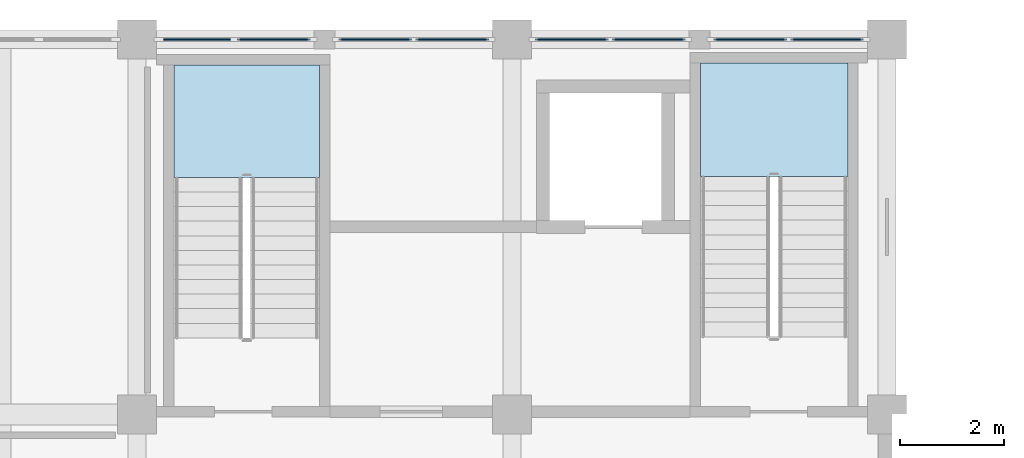
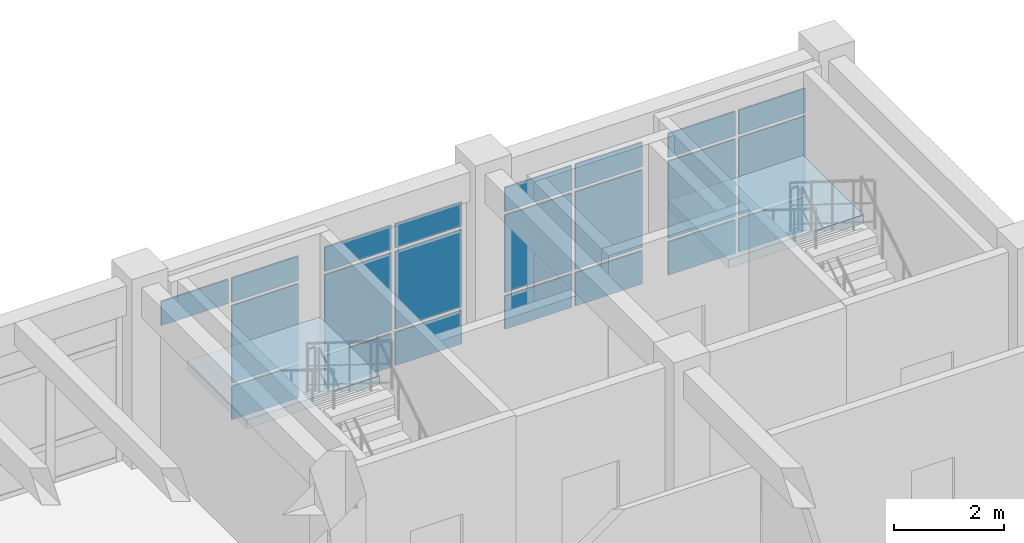
# One storey, part 85 of 136: 22 plates, 2 slabs, 6 elements without a shape of their own.
"""IFC4 building model written with IfcOpenShell, lengths in metres."""

from ifc_helpers import new_model, si_unit, direction, frame, origin, origin_2d, place, context, subcontext, project, spatial, polyline, rectangle, outline, extrude, material, layer, layer_set, type_object, element, aggregate, save


model = new_model("IFC4")

# Units and contexts
model_context = context("Model", 3, precision=1e-05, world=origin(), true_north=direction((0.0, 1.0)))
body_context = subcontext(model_context, "Body", "Model", "MODEL_VIEW")
ifc_project = project(units=[si_unit("LENGTHUNIT", "METRE"), si_unit("AREAUNIT", "SQUARE_METRE"), si_unit("VOLUMEUNIT", "CUBIC_METRE"), si_unit("PLANEANGLEUNIT", "RADIAN"), si_unit("MASSUNIT", "GRAM", prefix="KILO")], contexts=[model_context])

# Site, building, storey
site_placement = place(None, origin())
site = spatial("IfcSite", under=ifc_project, at=site_placement, CompositionType="ELEMENT")
building_placement = place(site_placement, origin())
building = spatial("IfcBuilding", under=site, at=building_placement, Name="Koriwan Promenade Central Fire Station", CompositionType="ELEMENT")
storey_placement = place(building_placement, frame((0.0, 0.0, 5.39990234375)))
storey = spatial("IfcBuildingStorey", under=building, at=storey_placement, Name="L01", CompositionType="ELEMENT", Elevation=5.39990234375)

# Curtain wall, plates
ifc_material_1 = material(Name="Aluminium EN AW-6063-T6 and low-E glazing", Category="aluminium")
ifc_layer_1 = layer(ifc_material_1, 0.159912109375, Name="Aluminium EN AW-6063-T6 and low-E glazing")
ifc_layer_set_1 = layer_set([ifc_layer_1], Name="Aluminium EN AW-6063-T6 and low-E glazing")
curtain_wall_type_1 = type_object("IfcCurtainWallType", Name="CurtainWall_07_302x329", PredefinedType="USERDEFINED", material=ifc_layer_set_1)
curtain_wall_1_placement = place(storey_placement, origin())
curtain_wall_1 = element("IfcCurtainWall", 1, at=curtain_wall_1_placement, inside=storey, type_object=curtain_wall_type_1, Name="V2 L01 unitised curtain wall 021", ObjectType="UNITISED CURTAIN WALL", PredefinedType="USERDEFINED")
ifc_material_2 = material(Name="Solar-control low-E acoustic glazing", Category="glass")
ifc_layer_2 = layer(ifc_material_2, 0.031982421875, Name="Solar-control low-E acoustic glazing")
ifc_layer_set_2 = layer_set([ifc_layer_2], Name="Solar-control low-E acoustic glazing")
plate_type = type_object("IfcPlateType", Name="CWPanel_32", PredefinedType="CURTAIN_PANEL", material=ifc_layer_set_2)
plate_1_placement = place(storey_placement, frame((99.64990234375, 115.199951171875, 0.0751953125), z_axis=(0.0, 0.0, 1.0), x_axis=(-1.0, 0.0, 0.0)))
plate_1 = element("IfcPlate", 2, at=plate_1_placement, type_object=plate_type, Name="CW-07 panel 1.1", PredefinedType="CURTAIN_PANEL", context=body_context, shape_type="SweptSolid", body=[
    extrude(rectangle(XDim=1.39990234375, YDim=0.031982421875, at=origin_2d()), origin(), (0.0, 0.0, 1.0), 0.737548828125),
])
plate_2_placement = place(storey_placement, frame((99.64990234375, 115.199951171875, 0.8876953125), z_axis=(0.0, 0.0, 1.0), x_axis=(-1.0, 0.0, 0.0)))
plate_2 = element("IfcPlate", 3, at=plate_2_placement, type_object=plate_type, Name="CW-07 panel 1.2", PredefinedType="CURTAIN_PANEL", context=body_context, shape_type="SweptSolid", body=[
    extrude(rectangle(XDim=1.39990234375, YDim=0.031982421875, at=origin_2d()), origin(), (0.0, 0.0, 1.0), 1.715087890625),
])
plate_3_placement = place(storey_placement, frame((99.64990234375, 115.199951171875, 2.677490234375), z_axis=(0.0, 0.0, 1.0), x_axis=(-1.0, 0.0, 0.0)))
plate_3 = element("IfcPlate", 4, at=plate_3_placement, type_object=plate_type, Name="CW-07 panel 1.3", PredefinedType="CURTAIN_PANEL", context=body_context, shape_type="SweptSolid", body=[
    extrude(rectangle(XDim=1.39990234375, YDim=0.031982421875, at=origin_2d()), origin(), (0.0, 0.0, 1.0), 0.53759765625),
])
plate_4_placement = place(storey_placement, frame((98.175048828125, 115.199951171875, 0.0751953125), z_axis=(0.0, 0.0, 1.0), x_axis=(-1.0, 0.0, 0.0)))
plate_4 = element("IfcPlate", 5, at=plate_4_placement, type_object=plate_type, Name="CW-07 panel 2.1", PredefinedType="CURTAIN_PANEL", context=body_context, shape_type="SweptSolid", body=[
    extrude(rectangle(XDim=1.39990234375, YDim=0.031982421875, at=origin_2d()), origin(), (0.0, 0.0, 1.0), 0.737548828125),
])
plate_5_placement = place(storey_placement, frame((98.175048828125, 115.199951171875, 0.8876953125), z_axis=(0.0, 0.0, 1.0), x_axis=(-1.0, 0.0, 0.0)))
plate_5 = element("IfcPlate", 6, at=plate_5_placement, type_object=plate_type, Name="CW-07 panel 2.2", PredefinedType="CURTAIN_PANEL", context=body_context, shape_type="SweptSolid", body=[
    extrude(rectangle(XDim=1.39990234375, YDim=0.031982421875, at=origin_2d()), origin(), (0.0, 0.0, 1.0), 1.715087890625),
])
plate_6_placement = place(storey_placement, frame((98.175048828125, 115.199951171875, 2.677490234375), z_axis=(0.0, 0.0, 1.0), x_axis=(-1.0, 0.0, 0.0)))
plate_6 = element("IfcPlate", 7, at=plate_6_placement, type_object=plate_type, Name="CW-07 panel 2.3", PredefinedType="CURTAIN_PANEL", context=body_context, shape_type="SweptSolid", body=[
    extrude(rectangle(XDim=1.39990234375, YDim=0.031982421875, at=origin_2d()), origin(), (0.0, 0.0, 1.0), 0.53759765625),
])
aggregate(curtain_wall_1, [plate_1, plate_2, plate_3, plate_4, plate_5, plate_6])

ifc_layer_3 = layer(ifc_material_1, 0.159912109375, Name="Aluminium EN AW-6063-T6 and low-E glazing")
ifc_layer_set_3 = layer_set([ifc_layer_3], Name="Aluminium EN AW-6063-T6 and low-E glazing")
curtain_wall_type_2 = type_object("IfcCurtainWallType", Name="CurtainWall_08_303x329", PredefinedType="USERDEFINED", material=ifc_layer_set_3)
curtain_wall_2_placement = place(storey_placement, origin())
curtain_wall_2 = element("IfcCurtainWall", 8, at=curtain_wall_2_placement, inside=storey, type_object=curtain_wall_type_2, Name="V2 L01 unitised curtain wall 022", ObjectType="UNITISED CURTAIN WALL", PredefinedType="USERDEFINED")
plate_7_placement = place(storey_placement, frame((96.22509765625, 115.199951171875, 0.0751953125), z_axis=(0.0, 0.0, 1.0), x_axis=(-1.0, 0.0, 0.0)))
plate_7 = element("IfcPlate", 9, at=plate_7_placement, type_object=plate_type, Name="CW-08 panel 1.1", PredefinedType="CURTAIN_PANEL", context=body_context, shape_type="SweptSolid", body=[
    extrude(rectangle(XDim=1.39990234375, YDim=0.031982421875, at=origin_2d()), origin(), (0.0, 0.0, 1.0), 0.737548828125),
])
plate_8_placement = place(storey_placement, frame((96.22509765625, 115.199951171875, 0.8876953125), z_axis=(0.0, 0.0, 1.0), x_axis=(-1.0, 0.0, 0.0)))
plate_8 = element("IfcPlate", 10, at=plate_8_placement, type_object=plate_type, Name="CW-08 panel 1.2", PredefinedType="CURTAIN_PANEL", context=body_context, shape_type="SweptSolid", body=[
    extrude(rectangle(XDim=1.39990234375, YDim=0.031982421875, at=origin_2d()), origin(), (0.0, 0.0, 1.0), 1.715087890625),
])
plate_9_placement = place(storey_placement, frame((96.22509765625, 115.199951171875, 2.677490234375), z_axis=(0.0, 0.0, 1.0), x_axis=(-1.0, 0.0, 0.0)))
plate_9 = element("IfcPlate", 11, at=plate_9_placement, type_object=plate_type, Name="CW-08 panel 1.3", PredefinedType="CURTAIN_PANEL", context=body_context, shape_type="SweptSolid", body=[
    extrude(rectangle(XDim=1.39990234375, YDim=0.031982421875, at=origin_2d()), origin(), (0.0, 0.0, 1.0), 0.53759765625),
])
plate_10_placement = place(storey_placement, frame((94.75, 115.199951171875, 0.0751953125), z_axis=(0.0, 0.0, 1.0), x_axis=(-1.0, 0.0, 0.0)))
plate_10 = element("IfcPlate", 12, at=plate_10_placement, type_object=plate_type, Name="CW-08 panel 2.1", PredefinedType="CURTAIN_PANEL", context=body_context, shape_type="SweptSolid", body=[
    extrude(rectangle(XDim=1.39990234375, YDim=0.031982421875, at=origin_2d()), origin(), (0.0, 0.0, 1.0), 0.737548828125),
])
plate_11_placement = place(storey_placement, frame((94.75, 115.199951171875, 0.8876953125), z_axis=(0.0, 0.0, 1.0), x_axis=(-1.0, 0.0, 0.0)))
plate_11 = element("IfcPlate", 13, at=plate_11_placement, type_object=plate_type, Name="CW-08 panel 2.2", PredefinedType="CURTAIN_PANEL", context=body_context, shape_type="SweptSolid", body=[
    extrude(rectangle(XDim=1.39990234375, YDim=0.031982421875, at=origin_2d()), origin(), (0.0, 0.0, 1.0), 1.715087890625),
])
plate_12_placement = place(storey_placement, frame((94.75, 115.199951171875, 2.677490234375), z_axis=(0.0, 0.0, 1.0), x_axis=(-1.0, 0.0, 0.0)))
plate_12 = element("IfcPlate", 14, at=plate_12_placement, type_object=plate_type, Name="CW-08 panel 2.3", PredefinedType="CURTAIN_PANEL", context=body_context, shape_type="SweptSolid", body=[
    extrude(rectangle(XDim=1.39990234375, YDim=0.031982421875, at=origin_2d()), origin(), (0.0, 0.0, 1.0), 0.53759765625),
])
aggregate(curtain_wall_2, [plate_7, plate_8, plate_9, plate_10, plate_11, plate_12])

curtain_wall_3_placement = place(storey_placement, origin())
curtain_wall_3 = element("IfcCurtainWall", 15, at=curtain_wall_3_placement, inside=storey, type_object=curtain_wall_type_1, Name="V2 L01 unitised curtain wall 023", ObjectType="UNITISED CURTAIN WALL", PredefinedType="USERDEFINED")
plate_13_placement = place(storey_placement, frame((92.449951171875, 115.199951171875, 0.0751953125), z_axis=(0.0, 0.0, 1.0), x_axis=(-1.0, 0.0, 0.0)))
plate_13 = element("IfcPlate", 16, at=plate_13_placement, type_object=plate_type, Name="CW-07 panel 1.1", PredefinedType="CURTAIN_PANEL", context=body_context, shape_type="SweptSolid", body=[
    extrude(rectangle(XDim=1.39990234375, YDim=0.031982421875, at=origin_2d()), origin(), (0.0, 0.0, 1.0), 0.737548828125),
])
plate_14_placement = place(storey_placement, frame((92.449951171875, 115.199951171875, 0.8876953125), z_axis=(0.0, 0.0, 1.0), x_axis=(-1.0, 0.0, 0.0)))
plate_14 = element("IfcPlate", 17, at=plate_14_placement, type_object=plate_type, Name="CW-07 panel 1.2", PredefinedType="CURTAIN_PANEL", context=body_context, shape_type="SweptSolid", body=[
    extrude(rectangle(XDim=1.39990234375, YDim=0.031982421875, at=origin_2d()), origin(), (0.0, 0.0, 1.0), 1.715087890625),
])
plate_15_placement = place(storey_placement, frame((92.449951171875, 115.199951171875, 2.677490234375), z_axis=(0.0, 0.0, 1.0), x_axis=(-1.0, 0.0, 0.0)))
plate_15 = element("IfcPlate", 18, at=plate_15_placement, type_object=plate_type, Name="CW-07 panel 1.3", PredefinedType="CURTAIN_PANEL", context=body_context, shape_type="SweptSolid", body=[
    extrude(rectangle(XDim=1.39990234375, YDim=0.031982421875, at=origin_2d()), origin(), (0.0, 0.0, 1.0), 0.53759765625),
])
plate_16_placement = place(storey_placement, frame((90.97509765625, 115.199951171875, 0.0751953125), z_axis=(0.0, 0.0, 1.0), x_axis=(-1.0, 0.0, 0.0)))
plate_16 = element("IfcPlate", 19, at=plate_16_placement, type_object=plate_type, Name="CW-07 panel 2.1", PredefinedType="CURTAIN_PANEL", context=body_context, shape_type="SweptSolid", body=[
    extrude(rectangle(XDim=1.39990234375, YDim=0.031982421875, at=origin_2d()), origin(), (0.0, 0.0, 1.0), 0.737548828125),
])
plate_17_placement = place(storey_placement, frame((90.97509765625, 115.199951171875, 0.8876953125), z_axis=(0.0, 0.0, 1.0), x_axis=(-1.0, 0.0, 0.0)))
plate_17 = element("IfcPlate", 20, at=plate_17_placement, type_object=plate_type, Name="CW-07 panel 2.2", PredefinedType="CURTAIN_PANEL", context=body_context, shape_type="SweptSolid", body=[
    extrude(rectangle(XDim=1.39990234375, YDim=0.031982421875, at=origin_2d()), origin(), (0.0, 0.0, 1.0), 1.715087890625),
])
plate_18_placement = place(storey_placement, frame((90.97509765625, 115.199951171875, 2.677490234375), z_axis=(0.0, 0.0, 1.0), x_axis=(-1.0, 0.0, 0.0)))
plate_18 = element("IfcPlate", 21, at=plate_18_placement, type_object=plate_type, Name="CW-07 panel 2.3", PredefinedType="CURTAIN_PANEL", context=body_context, shape_type="SweptSolid", body=[
    extrude(rectangle(XDim=1.39990234375, YDim=0.031982421875, at=origin_2d()), origin(), (0.0, 0.0, 1.0), 0.53759765625),
])
aggregate(curtain_wall_3, [plate_13, plate_14, plate_15, plate_16, plate_17, plate_18])

curtain_wall_4_placement = place(storey_placement, origin())
curtain_wall_4 = element("IfcCurtainWall", 22, at=curtain_wall_4_placement, inside=storey, type_object=curtain_wall_type_1, Name="V2 L01 unitised curtain wall 024", ObjectType="UNITISED CURTAIN WALL", PredefinedType="USERDEFINED")
plate_19_placement = place(storey_placement, frame((89.02490234375, 115.199951171875, 0.0751953125), z_axis=(0.0, 0.0, 1.0), x_axis=(-1.0, 0.0, 0.0)))
plate_19 = element("IfcPlate", 23, at=plate_19_placement, type_object=plate_type, Name="CW-07 panel 1.1", PredefinedType="CURTAIN_PANEL", context=body_context, shape_type="SweptSolid", body=[
    extrude(rectangle(XDim=1.39990234375, YDim=0.031982421875, at=origin_2d()), origin(), (0.0, 0.0, 1.0), 0.737548828125),
])
plate_20_placement = place(storey_placement, frame((89.02490234375, 115.199951171875, 0.8876953125), z_axis=(0.0, 0.0, 1.0), x_axis=(-1.0, 0.0, 0.0)))
plate_20 = element("IfcPlate", 24, at=plate_20_placement, type_object=plate_type, Name="CW-07 panel 1.2", PredefinedType="CURTAIN_PANEL", context=body_context, shape_type="SweptSolid", body=[
    extrude(rectangle(XDim=1.39990234375, YDim=0.031982421875, at=origin_2d()), origin(), (0.0, 0.0, 1.0), 1.715087890625),
])
plate_21_placement = place(storey_placement, frame((89.02490234375, 115.199951171875, 2.677490234375), z_axis=(0.0, 0.0, 1.0), x_axis=(-1.0, 0.0, 0.0)))
plate_21 = element("IfcPlate", 25, at=plate_21_placement, type_object=plate_type, Name="CW-07 panel 1.3", PredefinedType="CURTAIN_PANEL", context=body_context, shape_type="SweptSolid", body=[
    extrude(rectangle(XDim=1.39990234375, YDim=0.031982421875, at=origin_2d()), origin(), (0.0, 0.0, 1.0), 0.53759765625),
])
plate_22_placement = place(storey_placement, frame((87.550048828125, 115.199951171875, 2.677490234375), z_axis=(0.0, 0.0, 1.0), x_axis=(-1.0, 0.0, 0.0)))
plate_22 = element("IfcPlate", 26, at=plate_22_placement, type_object=plate_type, Name="CW-07 panel 2.3", PredefinedType="CURTAIN_PANEL", context=body_context, shape_type="SweptSolid", body=[
    extrude(rectangle(XDim=1.39990234375, YDim=0.031982421875, at=origin_2d()), origin(), (0.0, 0.0, 1.0), 0.53759765625),
])
aggregate(curtain_wall_4, [plate_19, plate_20, plate_21, plate_22])

# Stair, slab
ifc_material_3 = material(Name="Concrete C35/45", Category="concrete")
stair_type_1 = type_object("IfcStairType", Name="Stair_HALF_24R_1340", PredefinedType="HALF_TURN_STAIR", material=ifc_material_3)
stair_1_placement = place(storey_placement, origin())
stair_1 = element("IfcStair", 27, at=stair_1_placement, inside=storey, type_object=stair_type_1, Name="L01 Protected Stair ST04", PredefinedType="HALF_TURN_STAIR")
ifc_layer_4 = layer(ifc_material_3, 0.199951171875, Name="Concrete C35/45")
ifc_layer_set_4 = layer_set([ifc_layer_4], Name="Concrete C35/45")
slab_type = type_object("IfcSlabType", Name="StairLanding_200", PredefinedType="LANDING", material=ifc_layer_set_4)
slab_1_placement = place(storey_placement, frame((0.0, 0.0, 1.900146484375)))
slab_1 = element("IfcSlab", 28, at=slab_1_placement, type_object=slab_type, Name="ST04 landing 1", PredefinedType="LANDING", context=body_context, shape_type="SweptSolid", body=[
    extrude(outline(polyline([(100.050048828125, 112.570068359375), (100.050048828125, 114.75), (97.219970703125, 114.75), (97.219970703125, 112.570068359375), (100.050048828125, 112.570068359375)])), origin(), (0.0, 0.0, 1.0), 0.199951171875),
])
aggregate(stair_1, [slab_1])

stair_type_2 = type_object("IfcStairType", Name="Stair_HALF_24R_1320", PredefinedType="HALF_TURN_STAIR", material=ifc_material_3)
stair_2_placement = place(storey_placement, origin())
stair_2 = element("IfcStair", 29, at=stair_2_placement, inside=storey, type_object=stair_type_2, Name="L01 Protected Stair ST09", PredefinedType="HALF_TURN_STAIR")
slab_2_placement = place(storey_placement, frame((0.0, 0.0, 1.900146484375)))
slab_2 = element("IfcSlab", 30, at=slab_2_placement, type_object=slab_type, Name="ST09 landing 1", PredefinedType="LANDING", context=body_context, shape_type="SweptSolid", body=[
    extrude(outline(polyline([(89.89990234375, 112.550048828125), (89.89990234375, 114.7099609375), (87.110107421875, 114.7099609375), (87.110107421875, 112.550048828125), (89.89990234375, 112.550048828125)])), origin(), (0.0, 0.0, 1.0), 0.199951171875),
])
aggregate(stair_2, [slab_2])

save(model, "model.ifc")
